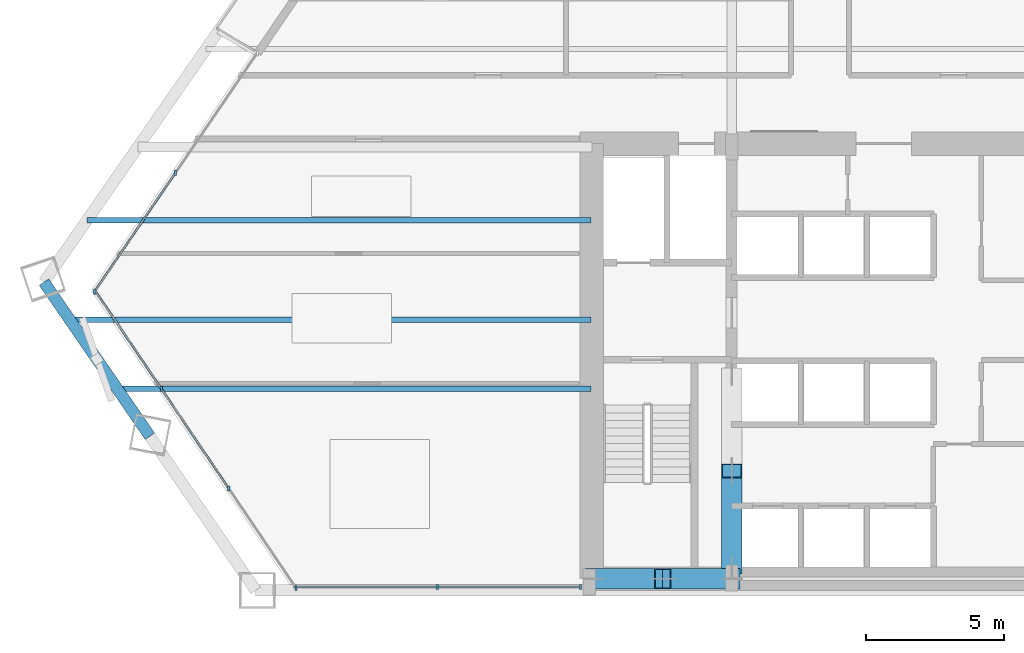
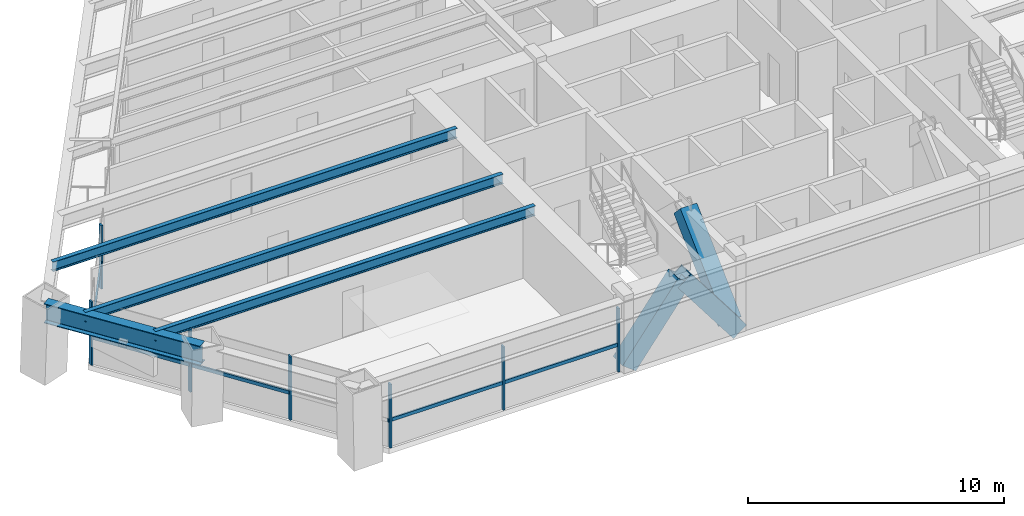
# One storey, part 2 of 14: 15 members, 4 beams, 3 elements without a shape of their own.
"""IFC4 building model written with IfcOpenShell, lengths in metres."""

from ifc_helpers import new_model, si_unit, direction, frame, origin, origin_2d, place, context, subcontext, project, spatial, rectangle, hollow_rectangle, i_section, extrude, source, transform, mapped, material, material_profile, profile_set, type_object, element, aggregate, save


model = new_model("IFC4")

# Units and contexts
model_context = context("Model", 3, precision=1e-05, world=origin(), true_north=direction((0.0, 1.0)))
body_context = subcontext(model_context, "Body", "Model", "MODEL_VIEW")
ifc_project = project(units=[si_unit("LENGTHUNIT", "METRE"), si_unit("AREAUNIT", "SQUARE_METRE"), si_unit("VOLUMEUNIT", "CUBIC_METRE"), si_unit("PLANEANGLEUNIT", "RADIAN"), si_unit("MASSUNIT", "GRAM", prefix="KILO")], contexts=[model_context])

# Site, building, storey
site_placement = place(None, origin())
site = spatial("IfcSite", under=ifc_project, at=site_placement, CompositionType="ELEMENT")
building_placement = place(site_placement, origin())
building = spatial("IfcBuilding", under=site, at=building_placement, Name="Varnakhor Terracotta Tower", CompositionType="ELEMENT")
storey_placement = place(building_placement, frame((0.0, 0.0, 38.60009765625)))
storey = spatial("IfcBuildingStorey", under=building, at=storey_placement, Name="L08", CompositionType="ELEMENT", Elevation=38.60009765625)

# Beams
ifc_material_1 = material(Name="Steel S355", Category="steel")
ifc_material_profile_1 = material_profile(ifc_material_1, i_section(OverallWidth=0.41796875, OverallDepth=0.927001953125, WebThickness=0.01904296875, FlangeThickness=0.031982421875, FilletRadius=0.01806640625, at=origin_2d()), Name="W36X231")
ifc_profile_set_1 = profile_set([ifc_material_profile_1], Name="Steel S355")
beam_type_1 = type_object("IfcBeamType", Name="BM-W36X231", PredefinedType="BEAM", material=ifc_profile_set_1)
shared_shape_1 = source(origin(), body_context, "Body", "SweptSolid", [
    extrude(i_section(OverallWidth=0.41796875, OverallDepth=0.927001953125, WebThickness=0.01904296875, FlangeThickness=0.031982421875, FilletRadius=0.01806640625, at=origin_2d()), origin(), (0.0, 0.0, 1.0), 6.769775390625),
])
beam_1_placement = place(storey_placement, frame((-30.397705078125, 11.159912109375, 2.986328125), z_axis=(0.566264011479, -0.824223919396, 0.0), x_axis=(0.824223919396, 0.566264011479, 0.0)))
element("IfcBeam", 1, at=beam_1_placement, inside=storey, type_object=beam_type_1, Name="L08 Perimeter Spandrel 7", PredefinedType="BEAM", context=body_context, shape_type="MappedRepresentation", body=[
    mapped(shared_shape_1, transform((0.0, 0.0, 0.0), scale=1.0)),
])
ifc_material_profile_2 = material_profile(ifc_material_1, i_section(OverallWidth=0.19189453125, OverallDepth=0.462890625, WebThickness=0.010498046875, FlangeThickness=0.017578125, FilletRadius=0.01806640625, at=origin_2d()), Name="W18X60")
ifc_profile_set_2 = profile_set([ifc_material_profile_2], Name="Steel S355")
beam_type_2 = type_object("IfcBeamType", Name="JST-W18X60", PredefinedType="JOIST", material=ifc_profile_set_2)
shared_shape_2 = source(origin(), body_context, "Body", "SweptSolid", [
    extrude(i_section(OverallWidth=0.19189453125, OverallDepth=0.462890625, WebThickness=0.010498046875, FlangeThickness=0.017578125, FilletRadius=0.01806640625, at=origin_2d()), origin(), (0.0, 0.0, 1.0), 17.14599609375),
])
beam_2_placement = place(storey_placement, frame((-27.74609375, 7.300048828125, 3.218505859375), z_axis=(1.0, 0.0, 0.0), x_axis=(0.0, 1.0, 0.0)))
element("IfcBeam", 2, at=beam_2_placement, inside=storey, type_object=beam_type_2, Name="L08 Floor Joist W1", PredefinedType="JOIST", context=body_context, shape_type="MappedRepresentation", body=[
    mapped(shared_shape_2, transform((0.0, 0.0, 0.0), scale=1.0)),
])
shared_shape_3 = source(origin(), body_context, "Body", "SweptSolid", [
    extrude(i_section(OverallWidth=0.19189453125, OverallDepth=0.462890625, WebThickness=0.010498046875, FlangeThickness=0.017578125, FilletRadius=0.01806640625, at=origin_2d()), origin(), (0.0, 0.0, 1.0), 18.86328125),
])
beam_3_placement = place(storey_placement, frame((-29.46337890625, 9.800048828125, 3.218505859375), z_axis=(1.0, 0.0, 0.0), x_axis=(0.0, 1.0, 0.0)))
element("IfcBeam", 3, at=beam_3_placement, inside=storey, type_object=beam_type_2, Name="L08 Floor Joist W2", PredefinedType="JOIST", context=body_context, shape_type="MappedRepresentation", body=[
    mapped(shared_shape_3, transform((0.0, 0.0, 0.0), scale=1.0)),
])
shared_shape_4 = source(origin(), body_context, "Body", "SweptSolid", [
    extrude(i_section(OverallWidth=0.19189453125, OverallDepth=0.462890625, WebThickness=0.010498046875, FlangeThickness=0.017578125, FilletRadius=0.01806640625, at=origin_2d()), origin(), (0.0, 0.0, 1.0), 18.2412109375),
])
beam_4_placement = place(storey_placement, frame((-28.84130859375, 13.39990234375, 3.218505859375), z_axis=(1.0, 0.0, 0.0), x_axis=(0.0, 1.0, 0.0)))
element("IfcBeam", 4, at=beam_4_placement, inside=storey, type_object=beam_type_2, Name="L08 Floor Joist W3", PredefinedType="JOIST", context=body_context, shape_type="MappedRepresentation", body=[
    mapped(shared_shape_4, transform((0.0, 0.0, 0.0), scale=1.0)),
])

# Members
ifc_material_2 = material(Name="Steel S460", Category="steel")
ifc_material_profile_3 = material_profile(ifc_material_2, hollow_rectangle(XDim=0.75, YDim=0.75, WallThickness=0.044921875, at=origin_2d()), Name="HSS750X750X45")
ifc_profile_set_3 = profile_set([ifc_material_profile_3], Name="Steel S460")
member_type_1 = type_object("IfcMemberType", Name="MBR-MEGA-750", PredefinedType="BRACE", material=ifc_profile_set_3)
shared_shape_5 = source(origin(), body_context, "Body", "SweptSolid", [
    extrude(hollow_rectangle(XDim=0.75, YDim=0.75, WallThickness=0.044921875, at=origin_2d()), origin(), (0.0, 0.0, 1.0), 4.139892578125),
])
for number, where, z_axis, x_axis, name in (
    (5, (-10.5, 0.419921875, 0.0), (0.603880396023, 0.0, 0.797074944594), (0.0, 1.0, 0.0), "L08 Core Coupled Brace CSWA"),
    (6, (-5.5, 0.419921875, 0.0), (-0.603880396023, 0.0, 0.797074944594), (0.0, -1.0, 0.0), "L08 Core Coupled Brace CSWB"),
):
    element("IfcMember", number, at=place(storey_placement, frame(where, z_axis=z_axis, x_axis=x_axis)), inside=storey, type_object=member_type_1, Name=name, PredefinedType="BRACE", context=body_context, shape_type="MappedRepresentation", body=[
        mapped(shared_shape_5, transform((0.0, 0.0, 0.0), scale=1.0)),
    ])
shared_shape_6 = source(origin(), body_context, "Body", "SweptSolid", [
    extrude(hollow_rectangle(XDim=0.75, YDim=0.75, WallThickness=0.044921875, at=origin_2d()), origin(), (0.0, 0.0, 1.0), 4.7919921875),
])
member_1_placement = place(storey_placement, frame((-5.5, 0.85009765625, 0.0), z_axis=(0.0, 0.725135524869, 0.688606179592), x_axis=(-1.0, 0.0, 0.0)))
element("IfcMember", 7, at=member_1_placement, inside=storey, type_object=member_type_1, Name="L08 Core Coupled Brace CWWA", PredefinedType="BRACE", context=body_context, shape_type="MappedRepresentation", body=[
    mapped(shared_shape_6, transform((0.0, 0.0, 0.0), scale=1.0)),
])

# Curtain wall, members
ifc_material_3 = material(Name="Anodised Aluminium Curtain Wall System", Category="aluminium")
curtain_wall_type = type_object("IfcCurtainWallType", Name="CW-SYS-LOW-OFFICE", PredefinedType="NOTDEFINED", material=ifc_material_3)
curtain_wall_1_placement = place(storey_placement, origin())
curtain_wall_1 = element("IfcCurtainWall", 8, at=curtain_wall_1_placement, inside=storey, type_object=curtain_wall_type, Name="L08 W Facet Curtain Wall 1", PredefinedType="NOTDEFINED")
ifc_material_4 = material(Name="Anodised Aluminium 6063-T6", Category="aluminium")
ifc_material_profile_4 = material_profile(ifc_material_4, rectangle(XDim=0.074951171875, YDim=0.18505859375, at=origin_2d()), Name="ALU MULLION 75x185")
ifc_profile_set_4 = profile_set([ifc_material_profile_4], Name="Anodised Aluminium 6063-T6")
member_type_2 = type_object("IfcMemberType", Name="CWM-02", PredefinedType="MULLION", material=ifc_profile_set_4)
shared_shape_7 = source(origin(), body_context, "Body", "SweptSolid", [
    extrude(rectangle(XDim=0.074951171875, YDim=0.18505859375, at=origin_2d()), origin(), (0.0, 0.0, 1.0), 3.02978515625),
])
member_2_placement = place(storey_placement, frame((-28.57470703125, 10.809326171875, 0.0), z_axis=(0.0, 0.0, 1.0), x_axis=(1.0, 0.0, 0.0)))
member_2 = element("IfcMember", 9, at=member_2_placement, type_object=member_type_2, Name="L08 W Facet Curtain Wall 1 Mullion 1", PredefinedType="MULLION", context=body_context, shape_type="MappedRepresentation", body=[
    mapped(shared_shape_7, transform((0.0, 0.0, 0.0), scale=1.0)),
])
member_3_placement = place(storey_placement, frame((-25.635498046875, 15.120361328125, 0.0), z_axis=(0.0, 0.0, 1.0), x_axis=(1.0, 0.0, 0.0)))
member_3 = element("IfcMember", 10, at=member_3_placement, type_object=member_type_2, Name="L08 W Facet Curtain Wall 1 Mullion 2", PredefinedType="MULLION", context=body_context, shape_type="MappedRepresentation", body=[
    mapped(shared_shape_7, transform((0.0, 0.0, 0.0), scale=1.0)),
])

curtain_wall_2_placement = place(storey_placement, origin())
curtain_wall_2 = element("IfcCurtainWall", 11, at=curtain_wall_2_placement, inside=storey, type_object=curtain_wall_type, Name="L08 South Wing Curtain Wall SSW", PredefinedType="NOTDEFINED")
member_4_placement = place(storey_placement, frame((-10.969970703125, 0.1201171875, 0.0), z_axis=(0.0, 0.0, 1.0), x_axis=(1.0, 0.0, 0.0)))
member_4 = element("IfcMember", 12, at=member_4_placement, type_object=member_type_2, Name="L08 South Wing Curtain Wall SSW Mullion 1", PredefinedType="MULLION", context=body_context, shape_type="MappedRepresentation", body=[
    mapped(shared_shape_7, transform((0.0, 0.0, 0.0), scale=1.0)),
])
member_5_placement = place(storey_placement, frame((-16.159423828125, 0.1201171875, 0.0), z_axis=(0.0, 0.0, 1.0), x_axis=(1.0, 0.0, 0.0)))
member_5 = element("IfcMember", 13, at=member_5_placement, type_object=member_type_2, Name="L08 South Wing Curtain Wall SSW Mullion 2", PredefinedType="MULLION", context=body_context, shape_type="MappedRepresentation", body=[
    mapped(shared_shape_7, transform((0.0, 0.0, 0.0), scale=1.0)),
])

curtain_wall_3_placement = place(storey_placement, origin())
curtain_wall_3 = element("IfcCurtainWall", 14, at=curtain_wall_3_placement, inside=storey, type_object=curtain_wall_type, Name="L08 Facet Curtain Wall 6", PredefinedType="NOTDEFINED")
member_6_placement = place(storey_placement, frame((-21.276611328125, 0.092041015625, 0.0), z_axis=(0.0, 0.0, 1.0), x_axis=(1.0, 0.0, 0.0)))
member_6 = element("IfcMember", 15, at=member_6_placement, type_object=member_type_2, Name="L08 Facet Curtain Wall 6 Mullion 1", PredefinedType="MULLION", context=body_context, shape_type="MappedRepresentation", body=[
    mapped(shared_shape_7, transform((0.0, 0.0, 0.0), scale=1.0)),
])
member_7_placement = place(storey_placement, frame((-23.709228515625, 3.69287109375, 0.0), z_axis=(0.0, 0.0, 1.0), x_axis=(1.0, 0.0, 0.0)))
member_7 = element("IfcMember", 16, at=member_7_placement, type_object=member_type_2, Name="L08 Facet Curtain Wall 6 Mullion 2", PredefinedType="MULLION", context=body_context, shape_type="MappedRepresentation", body=[
    mapped(shared_shape_7, transform((0.0, 0.0, 0.0), scale=1.0)),
])
member_8_placement = place(storey_placement, frame((-26.141845703125, 7.293701171875, 0.0), z_axis=(0.0, 0.0, 1.0), x_axis=(1.0, 0.0, 0.0)))
member_8 = element("IfcMember", 17, at=member_8_placement, type_object=member_type_2, Name="L08 Facet Curtain Wall 6 Mullion 3", PredefinedType="MULLION", context=body_context, shape_type="MappedRepresentation", body=[
    mapped(shared_shape_7, transform((0.0, 0.0, 0.0), scale=1.0)),
])

# Member
ifc_material_profile_5 = material_profile(ifc_material_4, rectangle(XDim=0.074951171875, YDim=0.1650390625, at=origin_2d()), Name="ALU TRANSOM 75x165")
ifc_profile_set_5 = profile_set([ifc_material_profile_5], Name="Anodised Aluminium 6063-T6")
member_type_3 = type_object("IfcMemberType", Name="CWT-02", PredefinedType="USERDEFINED", material=ifc_profile_set_5)
shared_shape_8 = source(origin(), body_context, "Body", "SweptSolid", [
    extrude(rectangle(XDim=0.074951171875, YDim=0.1650390625, at=origin_2d()), origin(), (0.0, 0.0, 1.0), 5.2177734375),
])
member_9_placement = place(storey_placement, frame((-28.57470703125, 10.809326171875, 1.2724609375), z_axis=(0.563319401554, 0.826239221916, 0.0), x_axis=(-0.826239221916, 0.563319401554, 0.0)))
member_9 = element("IfcMember", 18, at=member_9_placement, type_object=member_type_3, Name="L08 W Facet Curtain Wall 1 Transom 1", ObjectType="TRANSOM", PredefinedType="USERDEFINED", context=body_context, shape_type="MappedRepresentation", body=[
    mapped(shared_shape_8, transform((0.0, 0.0, 0.0), scale=1.0)),
])

aggregate(curtain_wall_1, [member_2, member_9, member_3])

shared_shape_9 = source(origin(), body_context, "Body", "SweptSolid", [
    extrude(rectangle(XDim=0.074951171875, YDim=0.1650390625, at=origin_2d()), origin(), (0.0, 0.0, 1.0), 5.189453125),
])
member_10_placement = place(storey_placement, frame((-10.969970703125, 0.1201171875, 1.2724609375), z_axis=(-1.0, 0.0, 0.0), x_axis=(0.0, -1.0, 0.0)))
member_10 = element("IfcMember", 19, at=member_10_placement, type_object=member_type_3, Name="L08 South Wing Curtain Wall SSW Transom 1", ObjectType="TRANSOM", PredefinedType="USERDEFINED", context=body_context, shape_type="MappedRepresentation", body=[
    mapped(shared_shape_9, transform((0.0, 0.0, 0.0), scale=1.0)),
])

shared_shape_10 = source(origin(), body_context, "Body", "SweptSolid", [
    extrude(rectangle(XDim=0.074951171875, YDim=0.1650390625, at=origin_2d()), origin(), (0.0, 0.0, 1.0), 5.189697265625),
])
member_11_placement = place(storey_placement, frame((-16.159423828125, 0.1201171875, 1.2724609375), z_axis=(-1.0, 0.0, 0.0), x_axis=(0.0, -1.0, 0.0)))
member_11 = element("IfcMember", 20, at=member_11_placement, type_object=member_type_3, Name="L08 South Wing Curtain Wall SSW Transom 2", ObjectType="TRANSOM", PredefinedType="USERDEFINED", context=body_context, shape_type="MappedRepresentation", body=[
    mapped(shared_shape_10, transform((0.0, 0.0, 0.0), scale=1.0)),
])

aggregate(curtain_wall_2, [member_4, member_10, member_5, member_11])

shared_shape_11 = source(origin(), body_context, "Body", "SweptSolid", [
    extrude(rectangle(XDim=0.074951171875, YDim=0.1650390625, at=origin_2d()), origin(), (0.0, 0.0, 1.0), 4.345458984375),
])
member_12_placement = place(storey_placement, frame((-23.709228515625, 3.69287109375, 1.2724609375), z_axis=(-0.559797987595, 0.828629116725, 0.0), x_axis=(-0.828629116725, -0.559797987595, 0.0)))
member_12 = element("IfcMember", 21, at=member_12_placement, type_object=member_type_3, Name="L08 Facet Curtain Wall 6 Transom 2", ObjectType="TRANSOM", PredefinedType="USERDEFINED", context=body_context, shape_type="MappedRepresentation", body=[
    mapped(shared_shape_11, transform((0.0, 0.0, 0.0), scale=1.0)),
])

shared_shape_12 = source(origin(), body_context, "Body", "SweptSolid", [
    extrude(rectangle(XDim=0.074951171875, YDim=0.1650390625, at=origin_2d()), origin(), (0.0, 0.0, 1.0), 4.345703125),
])
member_13_placement = place(storey_placement, frame((-26.141845703125, 7.293701171875, 1.2724609375), z_axis=(-0.559836561847, 0.828603055763, 0.0), x_axis=(-0.828603055763, -0.559836561847, 0.0)))
member_13 = element("IfcMember", 22, at=member_13_placement, type_object=member_type_3, Name="L08 Facet Curtain Wall 6 Transom 3", ObjectType="TRANSOM", PredefinedType="USERDEFINED", context=body_context, shape_type="MappedRepresentation", body=[
    mapped(shared_shape_12, transform((0.0, 0.0, 0.0), scale=1.0)),
])

aggregate(curtain_wall_3, [member_6, member_7, member_12, member_8, member_13])

save(model, "model.ifc")
